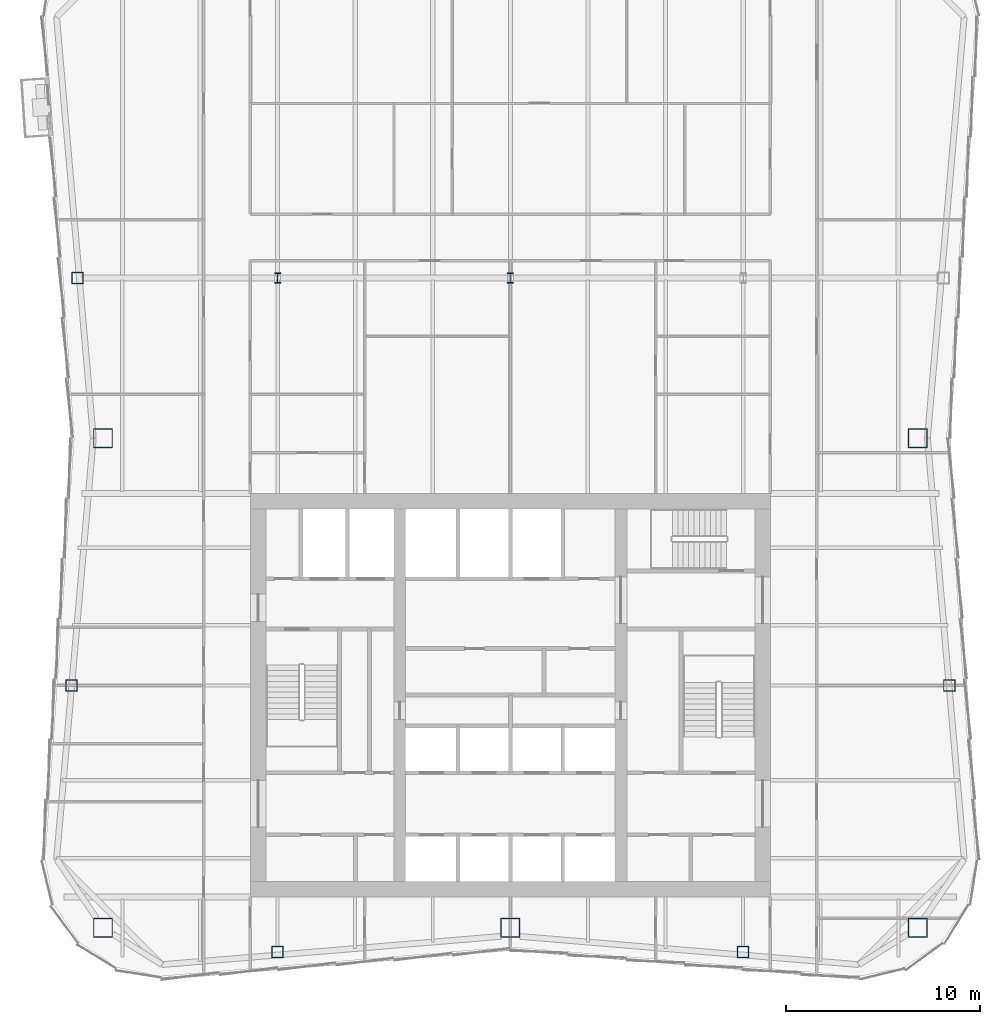
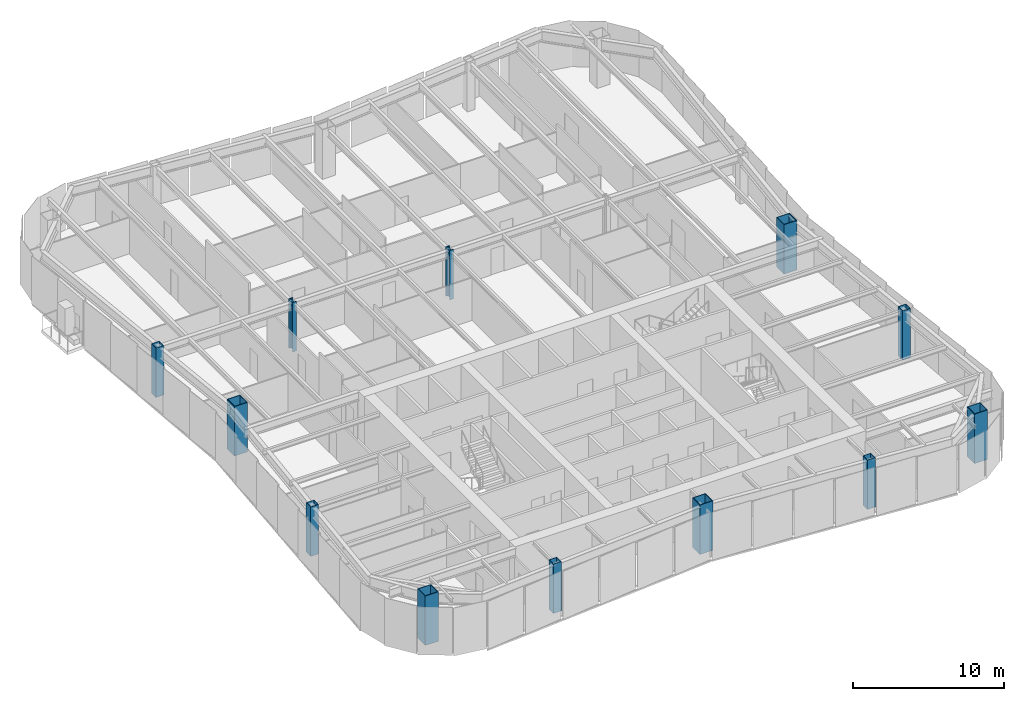
# One storey, part 1 of 11: 12 columns.
"""IFC4 building model written with IfcOpenShell, lengths in metres."""

import ifcopenshell
import ifcopenshell.guid

model = None  # the IFC model being written
_history = None  # IfcOwnerHistory: only IFC2X3 demands one
_inside = {}  # id of a spatial element -> (the spatial element, [elements in it])
_under = {}  # id of a project, library or spatial element -> (it, [spatial elements below it])
_declared = {}  # id of a project -> (the project, [libraries it declares])
_typed = {}  # id of a type object -> (the type object, [elements of that type])
_made_of = {}  # id of a material, layer set ... -> (it, [elements and type objects made of it])


def new_model(schema):
    """Start an empty IFC model of exactly this schema.

    Asked for "IFC4X3", IfcOpenShell would pick the latest addendum, in which some entities
    have other attributes; the version numbers below select the first issue.
    IFC2X3 requires an IfcOwnerHistory on every rooted entity: one is made here for all.
    """
    global model, _history
    if schema == "IFC4X3":
        model = ifcopenshell.file(schema_version=(4, 3, 0, 0))
    else:
        model = ifcopenshell.file(schema=schema)
    _inside.clear()
    _under.clear()
    _declared.clear()
    _typed.clear()
    _made_of.clear()
    _history = None
    if model.schema == "IFC2X3":
        org = make("IfcOrganization", Name="unknown")
        user = make(
            "IfcPersonAndOrganization",
            ThePerson=make("IfcPerson", FamilyName="unknown"),
            TheOrganization=org,
        )
        app = make(
            "IfcApplication",
            ApplicationDeveloper=org,
            Version="unknown",
            ApplicationFullName="unknown",
            ApplicationIdentifier="unknown",
        )
        _history = make(
            "IfcOwnerHistory",
            OwningUser=user,
            OwningApplication=app,
            ChangeAction="ADDED",
            CreationDate=0,
        )
    return model


def make(cls, **values):
    """One entity of the class cls with the attributes given. An attribute that is None is left unset."""
    return model.create_entity(
        cls, **{name: value for name, value in values.items() if value is not None}
    )


def rooted(cls, **values):
    """An entity with a GlobalId (a new one), such as an element, a storey or a relation."""
    return make(cls, GlobalId=ifcopenshell.guid.new(), OwnerHistory=_history, **values)


def si_unit(unit_type, name, prefix=None):
    """IfcSIUnit, for example si_unit("LENGTHUNIT", "METRE", prefix="MILLI")."""
    return make("IfcSIUnit", UnitType=unit_type, Prefix=prefix, Name=name)


def assignment(units):
    """IfcUnitAssignment: the units of a project."""
    return None if units is None else make("IfcUnitAssignment", Units=units)


def point(xyz):
    """IfcCartesianPoint."""
    return None if xyz is None else make("IfcCartesianPoint", Coordinates=xyz)


def direction(xyz):
    """IfcDirection."""
    return None if xyz is None else make("IfcDirection", DirectionRatios=xyz)


def frame(location, z_axis=None, x_axis=None):
    """IfcAxis2Placement3D, a coordinate frame: its origin and axes. An axis left out is left unset."""
    return make(
        "IfcAxis2Placement3D",
        Location=point(location),
        Axis=direction(z_axis),
        RefDirection=direction(x_axis),
    )


def frame_2d(location, x_axis=None):
    """IfcAxis2Placement2D, a coordinate frame in the plane: its origin and x axis."""
    return make(
        "IfcAxis2Placement2D", Location=point(location), RefDirection=direction(x_axis)
    )


def origin():
    """The frame at (0, 0, 0) with its axes left unset."""
    return frame((0.0, 0.0, 0.0))


def origin_2d():
    """The frame at (0, 0) in the plane with its x axis left unset."""
    return frame_2d((0.0, 0.0))


def place(relative_to, where):
    """IfcLocalPlacement: puts the frame where relative to a parent placement (None: the world)."""
    return make(
        "IfcLocalPlacement", PlacementRelTo=relative_to, RelativePlacement=where
    )


def context(
    kind, dimensions, precision=None, world=None, true_north=None, identifier=None
):
    """IfcGeometricRepresentationContext, for example the 3D "Model" context."""
    return make(
        "IfcGeometricRepresentationContext",
        ContextIdentifier=identifier,
        ContextType=kind,
        CoordinateSpaceDimension=dimensions,
        Precision=precision,
        WorldCoordinateSystem=world,
        TrueNorth=true_north,
    )


def subcontext(parent, identifier, kind, view, scale=None):
    """IfcGeometricRepresentationSubContext, for example "Body" below "Model"."""
    return make(
        "IfcGeometricRepresentationSubContext",
        ContextIdentifier=identifier,
        ContextType=kind,
        ParentContext=parent,
        TargetScale=scale,
        TargetView=view,
    )


def project(units=None, contexts=None):
    """IfcProject with its units and contexts."""
    return rooted(
        "IfcProject",
        Name="project",
        RepresentationContexts=contexts,
        UnitsInContext=assignment(units),
    )


def spatial(cls, under=None, at=None, **own):
    """A site, building, storey or space (cls), placed at a placement, below another one or the project."""
    s = rooted(cls, ObjectPlacement=at, **own)
    if under is not None:
        _under.setdefault(under.id(), (under, []))[1].append(s)
    return s


def profile(cls, at=None, kind="AREA", **sizes):
    """A parametric profile (cls). Its sizes go by their IFC names, for example OverallWidth=200.0."""
    return make(cls, ProfileType=kind, Position=at, **sizes)


def hollow_rectangle(**sizes):
    """IfcRectangleHollowProfileDef."""
    return profile("IfcRectangleHollowProfileDef", **sizes)


def i_section(**sizes):
    """IfcIShapeProfileDef."""
    return profile("IfcIShapeProfileDef", **sizes)


def extrude(swept, where, along, depth):
    """IfcExtrudedAreaSolid: the profile swept, set in the frame where, extruded along a direction by depth."""
    return make(
        "IfcExtrudedAreaSolid",
        SweptArea=swept,
        Position=where,
        ExtrudedDirection=direction(along),
        Depth=depth,
    )


def shape(context_of_items, identifier, shape_type, items):
    """IfcShapeRepresentation: the items that make up one representation, for example the "Body"."""
    return make(
        "IfcShapeRepresentation",
        ContextOfItems=context_of_items,
        RepresentationIdentifier=identifier,
        RepresentationType=shape_type,
        Items=items,
    )


def material(Name=None, Category=None):
    """IfcMaterial."""
    return make("IfcMaterial", Name=Name, Category=Category)


def material_profile(
    of_material, cross_section, Name=None, Category=None, Priority=None
):
    """IfcMaterialProfile: a cross section and its material."""
    return make(
        "IfcMaterialProfile",
        Name=Name,
        Material=of_material,
        Profile=cross_section,
        Priority=Priority,
        Category=Category,
    )


def profile_set(profiles, Name=None, composite=None):
    """IfcMaterialProfileSet."""
    return make(
        "IfcMaterialProfileSet",
        Name=Name,
        MaterialProfiles=profiles,
        CompositeProfile=composite,
    )


def made_of(thing, what):
    """Note that an element or type object is made of a material, layer set ...; save() writes the relation."""
    if what is not None:
        _made_of.setdefault(what.id(), (what, []))[1].append(thing)
    return thing


def type_object(cls, material=None, **own):
    """A type object (cls), such as IfcWallType, which elements share."""
    return made_of(rooted(cls, **own), material)


def element(
    cls,
    number,
    at=None,
    inside=None,
    cuts=None,
    type_object=None,
    material=None,
    context=None,
    identifier="Body",
    shape_type=None,
    held_by="IfcProductDefinitionShape",
    body=None,
    shapes=None,
    **own,
):
    """One element of the class cls, such as IfcWall. Its Tag is "e" and its number.

    at: its placement. inside: the storey or other place that contains it. cuts: it is an
    opening in that element (IfcRelVoidsElement). A single representation is given by context,
    identifier, shape_type and body (its items); several are given by shapes. held_by: the class
    of the entity that holds the representations. save() writes the other relations.
    """
    e = rooted(cls, Tag="e%d" % number, ObjectPlacement=at, **own)
    if body is not None:
        shapes = [shape(context, identifier, shape_type, body)]
    if shapes is not None:
        e.Representation = make(held_by, Representations=shapes)
    if inside is not None:
        _inside.setdefault(inside.id(), (inside, []))[1].append(e)
    if cuts is not None:
        rooted(
            "IfcRelVoidsElement", RelatingBuildingElement=cuts, RelatedOpeningElement=e
        )
    if type_object is not None:
        _typed.setdefault(type_object.id(), (type_object, []))[1].append(e)
    return made_of(e, material)


def aggregate(whole, parts):
    """IfcRelAggregates: a whole, such as a stair, and the parts it consists of."""
    return rooted("IfcRelAggregates", RelatingObject=whole, RelatedObjects=parts)


def save(model, path):
    """Write the relations noted so far, then the file.

    IfcRelAggregates (storeys below a building ...), IfcRelContainedInSpatialStructure (elements
    in a storey), IfcRelDefinesByType, IfcRelAssociatesMaterial and IfcRelDeclares: one each for
    every whole, place, type object, material and project.
    """
    for whole, parts in _under.values():
        aggregate(whole, parts)
    for where, things in _inside.values():
        rooted(
            "IfcRelContainedInSpatialStructure",
            RelatedElements=things,
            RelatingStructure=where,
        )
    for kind, things in _typed.values():
        rooted("IfcRelDefinesByType", RelatedObjects=things, RelatingType=kind)
    for what, things in _made_of.values():
        rooted("IfcRelAssociatesMaterial", RelatedObjects=things, RelatingMaterial=what)
    for by, libraries in _declared.values():
        rooted("IfcRelDeclares", RelatingContext=by, RelatedDefinitions=libraries)
    model.write(path)


model = new_model("IFC4")

# Units and contexts
model_context = context("Model", 3, precision=1e-05, world=origin(), true_north=direction((0.0, 1.0)))
body_context = subcontext(model_context, "Body", "Model", "MODEL_VIEW")
ifc_project = project(units=[si_unit("LENGTHUNIT", "METRE"), si_unit("AREAUNIT", "SQUARE_METRE"), si_unit("VOLUMEUNIT", "CUBIC_METRE"), si_unit("PLANEANGLEUNIT", "RADIAN"), si_unit("MASSUNIT", "GRAM", prefix="KILO")], contexts=[model_context])

# Site, building, storey
site_placement = place(None, origin())
site = spatial("IfcSite", under=ifc_project, at=site_placement, CompositionType="ELEMENT")
building_placement = place(site_placement, origin())
building = spatial("IfcBuilding", under=site, at=building_placement, Name="Verdant Reach Tower", CompositionType="ELEMENT")
storey_placement = place(building_placement, frame((0.0, 0.0, 258.0)))
storey = spatial("IfcBuildingStorey", under=building, at=storey_placement, Name="L59", CompositionType="ELEMENT", Elevation=258.0)

# Columns
ifc_material = material(Name="Steel S460", Category="steel")
ifc_material_profile_1 = material_profile(ifc_material, i_section(OverallWidth=0.305908203125, OverallDepth=0.52392578125, WebThickness=0.012451171875, FlangeThickness=0.0400390625, FilletRadius=0.027099609375, at=origin_2d()), Name="HEM 500")
ifc_profile_set_1 = profile_set([ifc_material_profile_1], Name="Steel S460")
column_type_1 = type_object("IfcColumnType", Name="ST-COL-HEM500", PredefinedType="COLUMN", material=ifc_profile_set_1)
for number, where, z_axis, x_axis, name in (
    (1, (-12.0, 49.5, 0.0), (0.0, 0.0, 1.0), (1.0, 0.0, 0.0), "Interior column 1, L59"),
    (2, (0.0, 49.5, 0.0), (0.0, 0.0, 1.0), (1.0, 0.0, 0.0), "Interior column 2, L59"),
):
    element("IfcColumn", number, at=place(storey_placement, frame(where, z_axis=z_axis, x_axis=x_axis)), inside=storey, type_object=column_type_1, Name=name, PredefinedType="COLUMN", context=body_context, shape_type="SweptSolid", body=[
        extrude(i_section(OverallWidth=0.305908203125, OverallDepth=0.52392578125, WebThickness=0.012451171875, FlangeThickness=0.0400390625, FilletRadius=0.027099609375, at=origin_2d()), origin(), (0.0, 0.0, 1.0), 4.0),
    ])
ifc_material_profile_2 = material_profile(ifc_material, hollow_rectangle(XDim=1.0, YDim=1.0, WallThickness=0.044921875, at=origin_2d()), Name="WB 1000x1000x45")
ifc_profile_set_2 = profile_set([ifc_material_profile_2], Name="Steel S460")
column_type_2 = type_object("IfcColumnType", Name="ST-COL-WB1000x1000x45", PredefinedType="COLUMN", material=ifc_profile_set_2)
for number, where, z_axis, x_axis, name in (
    (3, (21.0, 41.25, 0.0), (0.0, 0.0, 1.0), (1.0, 0.0, 0.0), "Mega column east, L59"),
    (4, (21.0, 16.0, 0.0), (0.0, 0.0, 1.0), (1.0, 0.0, 0.0), "Mega column south-east, L59"),
    (5, (0.0, 16.0, 0.0), (0.0, 0.0, 1.0), (1.0, 0.0, 0.0), "Mega column south, L59"),
    (6, (-21.0, 16.0, 0.0), (0.0, 0.0, 1.0), (1.0, 0.0, 0.0), "Mega column south-west, L59"),
    (7, (-21.0, 41.25, 0.0), (0.0, 0.0, 1.0), (1.0, 0.0, 0.0), "Mega column west, L59"),
):
    element("IfcColumn", number, at=place(storey_placement, frame(where, z_axis=z_axis, x_axis=x_axis)), inside=storey, type_object=column_type_2, Name=name, PredefinedType="COLUMN", context=body_context, shape_type="SweptSolid", body=[
        extrude(hollow_rectangle(XDim=1.0, YDim=1.0, WallThickness=0.044921875, at=origin_2d()), origin(), (0.0, 0.0, 1.0), 4.0),
    ])
ifc_material_profile_3 = material_profile(ifc_material, hollow_rectangle(XDim=0.60009765625, YDim=0.60009765625, WallThickness=0.02490234375, at=origin_2d()), Name="WB 600x600x25")
ifc_profile_set_3 = profile_set([ifc_material_profile_3], Name="Steel S460")
column_type_3 = type_object("IfcColumnType", Name="ST-COL-WB600x600x25", PredefinedType="COLUMN", material=ifc_profile_set_3)
for number, where, z_axis, x_axis, name in (
    (8, (-12.0, 14.75, 0.0), (0.0, 0.0, 1.0), (1.0, 0.0, 0.0), "Perimeter column south 1, L59"),
    (9, (12.0, 14.75, 0.0), (0.0, 0.0, 1.0), (1.0, 0.0, 0.0), "Perimeter column south 2, L59"),
    (10, (22.62939453125, 28.5, 0.0), (0.0, 0.0, 1.0), (1.0, 0.0, 0.0), "Perimeter column east 1, L59"),
    (11, (-22.62939453125, 28.5, 0.0), (0.0, 0.0, 1.0), (1.0, 0.0, 0.0), "Perimeter column west 1, L59"),
    (12, (-22.319091796875, 49.5, 0.0), (0.0, 0.0, 1.0), (1.0, 0.0, 0.0), "Perimeter column west 2, L59"),
):
    element("IfcColumn", number, at=place(storey_placement, frame(where, z_axis=z_axis, x_axis=x_axis)), inside=storey, type_object=column_type_3, Name=name, PredefinedType="COLUMN", context=body_context, shape_type="SweptSolid", body=[
        extrude(hollow_rectangle(XDim=0.60009765625, YDim=0.60009765625, WallThickness=0.02490234375, at=origin_2d()), origin(), (0.0, 0.0, 1.0), 4.0),
    ])

save(model, "model.ifc")
